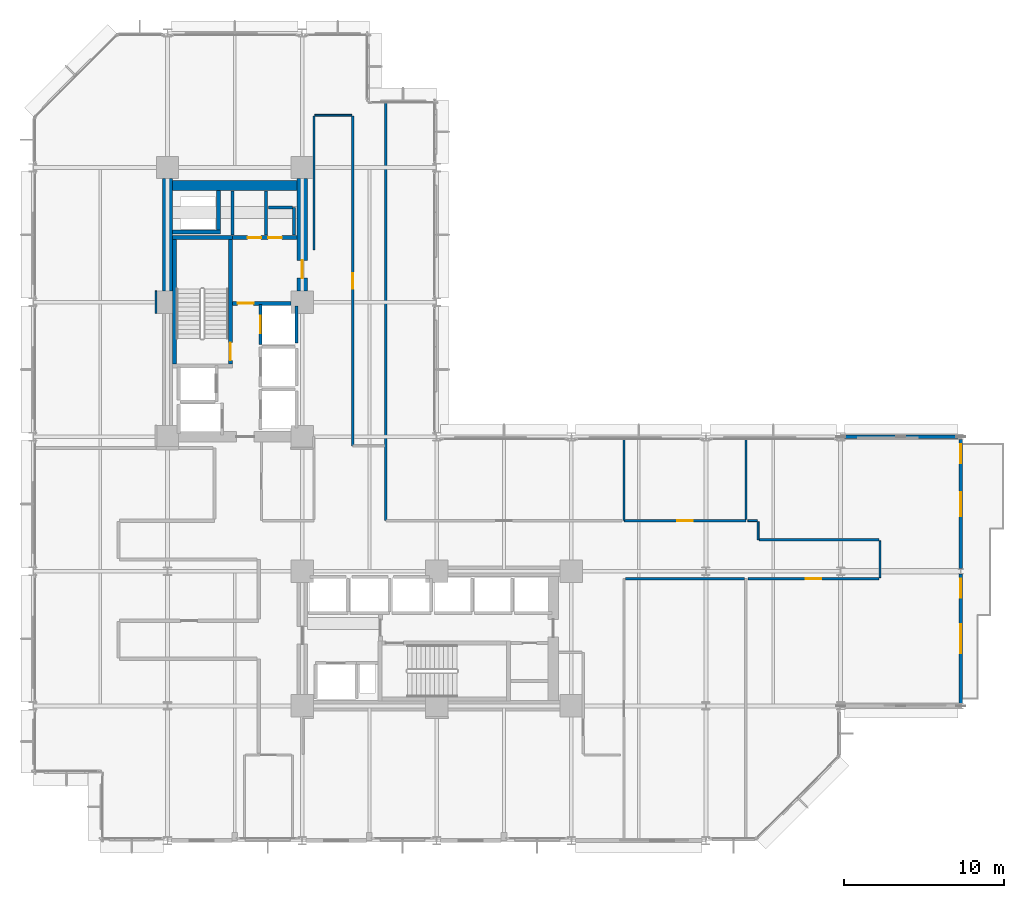
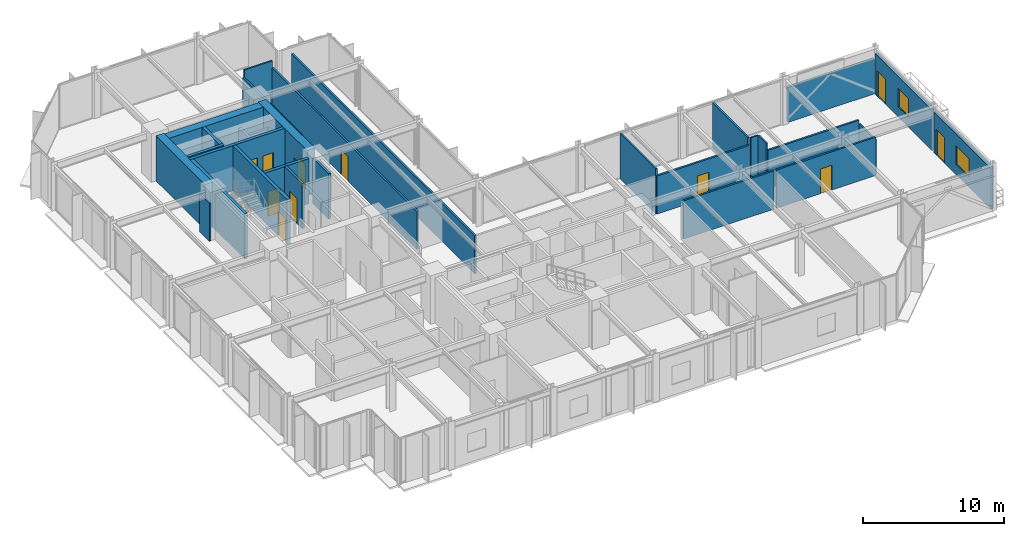
# One storey, part 25 of 30: 33 walls, 11 doors, 2 windows, 13 openings.
"""IFC4 building model written with IfcOpenShell, lengths in metres."""

from ifc_helpers import new_model, si_unit, direction, frame, frame_2d, origin, place, context, subcontext, project, spatial, rectangle, extrude, material, layer, layer_set, type_object, element, fill, save


model = new_model("IFC4")

# Units and contexts
model_context = context("Model", 3, precision=1e-05, world=origin(), true_north=direction((0.0, 1.0)))
body_context = subcontext(model_context, "Body", "Model", "MODEL_VIEW")
ifc_project = project(units=[si_unit("LENGTHUNIT", "METRE"), si_unit("AREAUNIT", "SQUARE_METRE"), si_unit("VOLUMEUNIT", "CUBIC_METRE"), si_unit("PLANEANGLEUNIT", "RADIAN"), si_unit("MASSUNIT", "GRAM", prefix="KILO")], contexts=[model_context])

# Site, building, storey
site_placement = place(None, origin())
site = spatial("IfcSite", under=ifc_project, at=site_placement, CompositionType="ELEMENT")
building_placement = place(site_placement, origin())
building = spatial("IfcBuilding", under=site, at=building_placement, Name="Nerrivon Quay Data Exchange", CompositionType="ELEMENT")
storey_placement = place(building_placement, frame((0.0, 0.0, 62.60009765625)))
storey = spatial("IfcBuildingStorey", under=building, at=storey_placement, Name="L14", CompositionType="ELEMENT", Elevation=62.60009765625)

# Wall, openings, door, window
ifc_material_1 = material(Name="Architectural terracotta precast concrete N50 (50 MPa)", Category="masonry")
ifc_layer_1 = layer(ifc_material_1, 0.239990234375)
ifc_layer_set_1 = layer_set([ifc_layer_1], Name="Architectural terracotta precast concrete N50 (50 MPa)")
wall_type_1 = type_object("IfcWallType", Name="EW-PREC-240", PredefinedType="STANDARD", material=ifc_layer_set_1)
wall_1_placement = place(storey_placement, frame((57.89990234375, 25.03662109375, 0.0), z_axis=(0.0, 0.0, 1.0), x_axis=(0.0, -1.0, 0.0)))
wall_1 = element("IfcWall", 1, at=wall_1_placement, inside=storey, type_object=wall_type_1, Name="L14 Terrace Host Wall 1", PredefinedType="STANDARD", context=body_context, shape_type="SweptSolid", body=[
    extrude(rectangle(XDim=8.0732421875, YDim=0.239990234375, at=frame_2d((4.03662109375, 0.0))), origin(), (0.0, 0.0, 1.0), 3.52197265625),
])
opening_1_placement = place(wall_1_placement, frame((0.300048828125, 0.0, 0.0)))
opening_1 = element("IfcOpeningElement", 2, at=opening_1_placement, cuts=wall_1, Name="Opening TD1", PredefinedType="OPENING", context=body_context, shape_type="SweptSolid", body=[
    extrude(rectangle(XDim=1.199951171875, YDim=2.199951171875, at=frame_2d((0.60009765625, 1.10009765625))), frame((0.0, 0.1298828125, 0.0), z_axis=(0.0, -1.0, 0.0), x_axis=(1.0, 0.0, 0.0)), (0.0, 0.0, 1.0), 0.260009765625),
])
opening_2_placement = place(wall_1_placement, frame((3.28662109375, 0.0, 0.89990234375)))
opening_2 = element("IfcOpeningElement", 3, at=opening_2_placement, cuts=wall_1, Name="Opening WN4", PredefinedType="OPENING", context=body_context, shape_type="SweptSolid", body=[
    extrude(rectangle(XDim=1.5, YDim=1.60009765625, at=frame_2d((0.75, 0.800048828125))), frame((0.0, 0.1298828125, 0.0), z_axis=(0.0, -1.0, 0.0), x_axis=(1.0, 0.0, 0.0)), (0.0, 0.0, 1.0), 0.260009765625),
])
ifc_material_2 = material(Name="Double-glazed low-E solar control glass", Category="glass")
door_type_1 = type_object("IfcDoorType", Name="DR-TERR-1200x2200", OperationType="NOTDEFINED", PredefinedType="DOOR", material=ifc_material_2)
door_1_placement = place(opening_1_placement, origin())
door_1 = element("IfcDoor", 4, at=door_1_placement, inside=storey, type_object=door_type_1, Name="L14 Outdoor Terrace Access Door 1", OperationType="SINGLE_SWING_RIGHT", OverallHeight=2.199951171875, OverallWidth=1.199951171875, PredefinedType="DOOR", context=body_context, shape_type="SweptSolid", body=[
    extrude(rectangle(XDim=1.199951171875, YDim=2.199951171875, at=frame_2d((0.60009765625, 1.10009765625))), frame((0.0, 0.02490234375, 0.0), z_axis=(0.0, -1.0, 0.0), x_axis=(1.0, 0.0, 0.0)), (0.0, 0.0, 1.0), 0.050048828125),
])
fill(opening_1, door_1)
window_type_1 = type_object("IfcWindowType", Name="WIN-W4-1500x1600", PartitioningType="SINGLE_PANEL", PredefinedType="WINDOW", material=ifc_material_2)
window_1_placement = place(opening_2_placement, origin())
window_1 = element("IfcWindow", 5, at=window_1_placement, inside=storey, type_object=window_type_1, Name="L14 Terrace Side Window 1", OverallHeight=1.60009765625, OverallWidth=1.5, PartitioningType="SINGLE_PANEL", PredefinedType="WINDOW", context=body_context, shape_type="SweptSolid", body=[
    extrude(rectangle(XDim=1.5, YDim=1.60009765625, at=frame_2d((0.75, 0.800048828125))), frame((0.0, 0.030029296875, 0.0), z_axis=(0.0, -1.0, 0.0), x_axis=(1.0, 0.0, 0.0)), (0.0, 0.0, 1.0), 0.06005859375),
])
fill(opening_2, window_1)

wall_2_placement = place(storey_placement, frame((57.89990234375, 16.636474609375, 0.0), z_axis=(0.0, 0.0, 1.0), x_axis=(0.0, -1.0, 0.0)))
wall_2 = element("IfcWall", 6, at=wall_2_placement, inside=storey, type_object=wall_type_1, Name="L14 Terrace Host Wall 2", PredefinedType="STANDARD", context=body_context, shape_type="SweptSolid", body=[
    extrude(rectangle(XDim=8.072998046875, YDim=0.239990234375, at=frame_2d((4.03662109375, 0.0))), origin(), (0.0, 0.0, 1.0), 3.52197265625),
])
opening_3_placement = place(wall_2_placement, frame((0.300048828125, 0.0, 0.0)))
opening_3 = element("IfcOpeningElement", 7, at=opening_3_placement, cuts=wall_2, Name="Opening TD1", PredefinedType="OPENING", context=body_context, shape_type="SweptSolid", body=[
    extrude(rectangle(XDim=1.199951171875, YDim=2.199951171875, at=frame_2d((0.60009765625, 1.10009765625))), frame((0.0, 0.1298828125, 0.0), z_axis=(0.0, -1.0, 0.0), x_axis=(1.0, 0.0, 0.0)), (0.0, 0.0, 1.0), 0.260009765625),
])
opening_4_placement = place(wall_2_placement, frame((3.136474609375, 0.0, 0.89990234375)))
opening_4 = element("IfcOpeningElement", 8, at=opening_4_placement, cuts=wall_2, Name="Opening WN2", PredefinedType="OPENING", context=body_context, shape_type="SweptSolid", body=[
    extrude(rectangle(XDim=1.800048828125, YDim=1.60009765625, at=frame_2d((0.89990234375, 0.800048828125))), frame((0.0, 0.1298828125, 0.0), z_axis=(0.0, -1.0, 0.0), x_axis=(1.0, 0.0, 0.0)), (0.0, 0.0, 1.0), 0.260009765625),
])
door_2_placement = place(opening_3_placement, origin())
door_2 = element("IfcDoor", 9, at=door_2_placement, inside=storey, type_object=door_type_1, Name="L14 Outdoor Terrace Access Door 2", OperationType="SINGLE_SWING_LEFT", OverallHeight=2.199951171875, OverallWidth=1.199951171875, PredefinedType="DOOR", context=body_context, shape_type="SweptSolid", body=[
    extrude(rectangle(XDim=1.199951171875, YDim=2.199951171875, at=frame_2d((0.60009765625, 1.10009765625))), frame((0.0, 0.02490234375, 0.0), z_axis=(0.0, -1.0, 0.0), x_axis=(1.0, 0.0, 0.0)), (0.0, 0.0, 1.0), 0.050048828125),
])
fill(opening_3, door_2)
window_type_2 = type_object("IfcWindowType", Name="WIN-W2-1800x1600", PartitioningType="SINGLE_PANEL", PredefinedType="WINDOW", material=ifc_material_2)
window_2_placement = place(opening_4_placement, origin())
window_2 = element("IfcWindow", 10, at=window_2_placement, inside=storey, type_object=window_type_2, Name="L14 Terrace Side Window 2", OverallHeight=1.60009765625, OverallWidth=1.800048828125, PartitioningType="SINGLE_PANEL", PredefinedType="WINDOW", context=body_context, shape_type="SweptSolid", body=[
    extrude(rectangle(XDim=1.800048828125, YDim=1.60009765625, at=frame_2d((0.89990234375, 0.800048828125))), frame((0.0, 0.030029296875, 0.0), z_axis=(0.0, -1.0, 0.0), x_axis=(1.0, 0.0, 0.0)), (0.0, 0.0, 1.0), 0.06005859375),
])
fill(opening_4, window_2)

# Walls
wall_3_placement = place(storey_placement, frame((50.64990234375, 25.199951171875, 0.0), z_axis=(0.0, 0.0, 1.0), x_axis=(1.0, 0.0, 0.0)))
element("IfcWall", 11, at=wall_3_placement, inside=storey, type_object=wall_type_1, Name="L14 Plant Enclosure Wall 35", PredefinedType="STANDARD", context=body_context, shape_type="SweptSolid", body=[
    extrude(rectangle(XDim=7.094482421875, YDim=0.239990234375, at=frame_2d((3.54736328125, 0.0))), origin(), (0.0, 0.0, 1.0), 3.014892578125),
])
ifc_material_3 = material(Name="Concrete N80 (80 MPa)", Category="concrete")
ifc_layer_2 = layer(ifc_material_3, 0.64990234375)
ifc_layer_set_2 = layer_set([ifc_layer_2], Name="Concrete N80 (80 MPa)")
wall_type_2 = type_object("IfcWallType", Name="WALL-CW-850", PredefinedType="SHEAR", material=ifc_layer_set_2)
wall_4_placement = place(storey_placement, frame((8.39990234375, 34.300048828125, 0.0), z_axis=(0.0, 0.0, 1.0), x_axis=(0.0, 1.0, 0.0)))
element("IfcWall", 12, at=wall_4_placement, inside=storey, type_object=wall_type_2, Name="L14 West Split-Core Shear Wall WCW-W2", PredefinedType="SHEAR", context=body_context, shape_type="SweptSolid", body=[
    extrude(rectangle(XDim=7.0, YDim=0.64990234375, at=frame_2d((3.5, 0.0))), origin(), (0.0, 0.0, 1.0), 3.9248046875),
])
wall_5_placement = place(storey_placement, frame((8.72509765625, 40.875, 0.0), z_axis=(0.0, 0.0, 1.0), x_axis=(1.0, 0.0, 0.0)))
element("IfcWall", 13, at=wall_5_placement, inside=storey, type_object=wall_type_2, Name="L14 West Split-Core Shear Wall WCW-N1", PredefinedType="SHEAR", context=body_context, shape_type="SweptSolid", body=[
    extrude(rectangle(XDim=7.75, YDim=0.64990234375, at=frame_2d((3.875, 0.0))), origin(), (0.0, 0.0, 1.0), 3.9248046875),
])

# Wall, opening, door
wall_6_placement = place(storey_placement, frame((16.800048828125, 34.300048828125, 0.0), z_axis=(0.0, 0.0, 1.0), x_axis=(0.0, 1.0, 0.0)))
wall_6 = element("IfcWall", 14, at=wall_6_placement, inside=storey, type_object=wall_type_2, Name="L14 West Split-Core Shear Wall WCW-E1", PredefinedType="SHEAR", context=body_context, shape_type="SweptSolid", body=[
    extrude(rectangle(XDim=7.0, YDim=0.64990234375, at=frame_2d((3.5, 0.0))), origin(), (0.0, 0.0, 1.0), 3.9248046875),
])
opening_5_placement = place(wall_6_placement, frame((0.800048828125, 0.0, 0.0)))
opening_5 = element("IfcOpeningElement", 15, at=opening_5_placement, cuts=wall_6, Name="Opening FD-120", PredefinedType="OPENING", context=body_context, shape_type="SweptSolid", body=[
    extrude(rectangle(XDim=1.10009765625, YDim=2.14990234375, at=frame_2d((0.550048828125, 1.074951171875))), frame((0.0, 0.3349609375, 0.0), z_axis=(0.0, -1.0, 0.0), x_axis=(1.0, 0.0, 0.0)), (0.0, 0.0, 1.0), 0.669921875),
])
ifc_material_4 = material(Name="Powder-coated galvanized steel sheet", Category="steel")
door_type_2 = type_object("IfcDoorType", Name="DR-FD120-1100", OperationType="NOTDEFINED", PredefinedType="DOOR", material=ifc_material_4)
door_3_placement = place(opening_5_placement, origin())
door_3 = element("IfcDoor", 16, at=door_3_placement, inside=storey, type_object=door_type_2, Name="L14 West Core Lobby Fire Door", OperationType="SINGLE_SWING_RIGHT", OverallHeight=2.14990234375, OverallWidth=1.10009765625, PredefinedType="DOOR", context=body_context, shape_type="SweptSolid", body=[
    extrude(rectangle(XDim=1.10009765625, YDim=2.14990234375, at=frame_2d((0.550048828125, 1.074951171875))), frame((0.0, 0.02490234375, 0.0), z_axis=(0.0, -1.0, 0.0), x_axis=(1.0, 0.0, 0.0)), (0.0, 0.0, 1.0), 0.050048828125),
])
fill(opening_5, door_3)

ifc_material_5 = material(Name="Gypsum plasterboard on cold-formed framing", Category="gypsum")
ifc_layer_3 = layer(ifc_material_5, 0.199951171875)
ifc_layer_set_3 = layer_set([ifc_layer_3], Name="Gypsum plasterboard on cold-formed framing")
wall_type_3 = type_object("IfcWallType", Name="WALL-FW-200", PredefinedType="PARTITIONING", material=ifc_layer_set_3)
wall_7_placement = place(storey_placement, frame((14.199951171875, 30.949951171875, 0.0), z_axis=(0.0, 0.0, 1.0), x_axis=(0.0, 1.0, 0.0)))
wall_7 = element("IfcWall", 17, at=wall_7_placement, inside=storey, type_object=wall_type_3, Name="L14 Lift Front Wall PL3", PredefinedType="PARTITIONING", context=body_context, shape_type="SweptSolid", body=[
    extrude(rectangle(XDim=2.5, YDim=0.199951171875, at=frame_2d((1.25, 0.0))), origin(), (0.0, 0.0, 1.0), 3.9248046875),
])
opening_6_placement = place(wall_7_placement, frame((0.699951171875, 0.0, 0.0)))
opening_6 = element("IfcOpeningElement", 18, at=opening_6_placement, cuts=wall_7, Name="Opening LD-120", PredefinedType="OPENING", context=body_context, shape_type="SweptSolid", body=[
    extrude(rectangle(XDim=1.10009765625, YDim=2.199951171875, at=frame_2d((0.550048828125, 1.10009765625))), frame((0.0, 0.10986328125, 0.0), z_axis=(0.0, -1.0, 0.0), x_axis=(1.0, 0.0, 0.0)), (0.0, 0.0, 1.0), 0.219970703125),
])
door_type_3 = type_object("IfcDoorType", Name="DR-LIFT-LD120", OperationType="DOUBLE_DOOR_SLIDING", PredefinedType="DOOR", material=ifc_material_4)
door_4_placement = place(opening_6_placement, origin())
door_4 = element("IfcDoor", 19, at=door_4_placement, inside=storey, type_object=door_type_3, Name="L14 Lift Landing Sliding Door PL3", OperationType="DOUBLE_DOOR_SLIDING", OverallHeight=2.199951171875, OverallWidth=1.10009765625, PredefinedType="DOOR", context=body_context, shape_type="SweptSolid", body=[
    extrude(rectangle(XDim=1.10009765625, YDim=2.199951171875, at=frame_2d((0.550048828125, 1.10009765625))), frame((0.0, 0.02490234375, 0.0), z_axis=(0.0, -1.0, 0.0), x_axis=(1.0, 0.0, 0.0)), (0.0, 0.0, 1.0), 0.050048828125),
])
fill(opening_6, door_4)

# Walls
wall_8_placement = place(storey_placement, frame((16.449951171875, 31.050048828125, 0.0), z_axis=(0.0, 0.0, 1.0), x_axis=(0.0, 1.0, 0.0)))
element("IfcWall", 20, at=wall_8_placement, inside=storey, type_object=wall_type_3, Name="L14 Lift Shaft Wall PL3 EAST", PredefinedType="PARTITIONING", context=body_context, shape_type="SweptSolid", body=[
    extrude(rectangle(XDim=2.300048828125, YDim=0.199951171875, at=frame_2d((1.14990234375, 0.0))), origin(), (0.0, 0.0, 1.0), 3.9248046875),
])
for number, where, z_axis, x_axis, name in (
    (21, (14.550048828125, 37.780029296875, 0.0), (0.0, 0.0, 1.0), (0.0, 1.0, 0.0), "L14 Partition Electrical Switchboard Closet"),
    (22, (12.449951171875, 40.5458984375, 0.0), (0.0, 0.0, 1.0), (0.0, -1.0, 0.0), "L14 Partition Electrical Switchboard Closet"),
):
    element("IfcWall", number, at=place(storey_placement, frame(where, z_axis=z_axis, x_axis=x_axis)), inside=storey, type_object=wall_type_3, Name=name, PredefinedType="PARTITIONING", context=body_context, shape_type="SweptSolid", body=[
        extrude(rectangle(XDim=2.765869140625, YDim=0.199951171875, at=frame_2d((1.3828125, 0.0))), origin(), (0.0, 0.0, 1.0), 2.824951171875),
    ])
wall_9_placement = place(storey_placement, frame((16.300048828125, 37.780029296875, 0.0), z_axis=(0.0, 0.0, 1.0), x_axis=(0.0, 1.0, 0.0)))
element("IfcWall", 23, at=wall_9_placement, inside=storey, type_object=wall_type_3, Name="L14 Partition Janitor Closet", PredefinedType="PARTITIONING", context=body_context, shape_type="SweptSolid", body=[
    extrude(rectangle(XDim=1.719970703125, YDim=0.199951171875, at=frame_2d((0.85986328125, 0.0))), origin(), (0.0, 0.0, 1.0), 2.824951171875),
])
wall_10_placement = place(storey_placement, frame((16.196044921875, 39.5, 0.0), z_axis=(0.0, 0.0, 1.0), x_axis=(-1.0, 0.0, 0.0)))
element("IfcWall", 24, at=wall_10_placement, inside=storey, type_object=wall_type_3, Name="L14 Partition Janitor Closet", PredefinedType="PARTITIONING", context=body_context, shape_type="SweptSolid", body=[
    extrude(rectangle(XDim=1.506103515625, YDim=0.199951171875, at=frame_2d((0.7529296875, 0.0))), origin(), (0.0, 0.0, 1.0), 2.824951171875),
])
ifc_layer_4 = layer(ifc_material_5, 0.1201171875)
ifc_layer_set_4 = layer_set([ifc_layer_4], Name="Gypsum plasterboard on cold-formed framing")
wall_type_4 = type_object("IfcWallType", Name="WALL-PT-120", PredefinedType="PARTITIONING", material=ifc_layer_set_4)
wall_11_placement = place(storey_placement, frame((44.61376953125, 19.959716796875, 0.0), z_axis=(0.0, 0.0, 1.0), x_axis=(1.0, 0.0, 0.0)))
element("IfcWall", 25, at=wall_11_placement, inside=storey, type_object=wall_type_4, Name="L14 Partition Cloud Compute Workspace 1", PredefinedType="PARTITIONING", context=body_context, shape_type="SweptSolid", body=[
    extrude(rectangle(XDim=0.592041015625, YDim=0.1201171875, at=frame_2d((0.2958984375, 0.0))), origin(), (0.0, 0.0, 1.0), 3.9248046875),
])
wall_12_placement = place(storey_placement, frame((45.260009765625, 19.89990234375, 0.0), z_axis=(0.0, 0.0, 1.0), x_axis=(0.0, -1.0, 0.0)))
element("IfcWall", 26, at=wall_12_placement, inside=storey, type_object=wall_type_4, Name="L14 Partition Cloud Compute Workspace 1", PredefinedType="PARTITIONING", context=body_context, shape_type="SweptSolid", body=[
    extrude(rectangle(XDim=1.139892578125, YDim=0.1201171875, at=frame_2d((0.56982421875, 0.0))), origin(), (0.0, 0.0, 1.0), 3.9248046875),
])
wall_13_placement = place(storey_placement, frame((52.860107421875, 18.699951171875, 0.0), z_axis=(0.0, 0.0, 1.0), x_axis=(0.0, -1.0, 0.0)))
element("IfcWall", 27, at=wall_13_placement, inside=storey, type_object=wall_type_4, Name="L14 Partition Cloud Compute Workspace 1", PredefinedType="PARTITIONING", context=body_context, shape_type="SweptSolid", body=[
    extrude(rectangle(XDim=2.300048828125, YDim=0.1201171875, at=frame_2d((1.14990234375, 0.0))), origin(), (0.0, 0.0, 1.0), 3.014892578125),
])
wall_14_placement = place(storey_placement, frame((7.680908203125, 32.894287109375, 0.0), z_axis=(0.0, 0.0, 1.0), x_axis=(-0.000694685487, 0.999999758706, 0.0)))
element("IfcWall", 28, at=wall_14_placement, inside=storey, type_object=wall_type_4, Name="L14 Partition Optical Engineering Studios Workspace", PredefinedType="PARTITIONING", context=body_context, shape_type="SweptSolid", body=[
    extrude(rectangle(XDim=1.40576171875, YDim=0.1201171875, at=frame_2d((0.702880859375, 0.0))), origin(), (0.0, 0.0, 1.0), 3.31298828125),
])
wall_15_placement = place(storey_placement, frame((17.593994140625, 45.259765625, 0.0), z_axis=(0.0, 0.0, 1.0), x_axis=(0.999999994395, 0.000105876124, 0.0)))
element("IfcWall", 29, at=wall_15_placement, inside=storey, type_object=wall_type_4, Name="L14 Partition Optical Engineering Studios Workspace", PredefinedType="PARTITIONING", context=body_context, shape_type="SweptSolid", body=[
    extrude(rectangle(XDim=2.305908203125, YDim=0.1201171875, at=frame_2d((1.15283203125, 0.0))), origin(), (0.0, 0.0, 1.0), 3.9248046875),
])
ifc_layer_5 = layer(ifc_material_5, 0.135009765625)
ifc_layer_set_5 = layer_set([ifc_layer_5], Name="Gypsum plasterboard on cold-formed framing")
wall_type_5 = type_object("IfcWallType", Name="WALL-PT-135", PredefinedType="PARTITIONING", material=ifc_layer_set_5)
wall_16_placement = place(storey_placement, frame((36.88623046875, 25.031005859375, 0.0), z_axis=(0.0, 0.0, 1.0), x_axis=(0.0, -1.0, 0.0)))
element("IfcWall", 30, at=wall_16_placement, inside=storey, type_object=wall_type_5, Name="L14 Partition Staff Pantry", PredefinedType="PARTITIONING", context=body_context, shape_type="SweptSolid", body=[
    extrude(rectangle(XDim=5.0712890625, YDim=0.135009765625, at=frame_2d((2.53564453125, 0.0))), origin(), (0.0, 0.0, 1.0), 3.9248046875),
])
wall_17_placement = place(storey_placement, frame((44.49365234375, 20.038818359375, 0.0), z_axis=(0.0, 0.0, 1.0), x_axis=(0.0, 1.0, 0.0)))
element("IfcWall", 31, at=wall_17_placement, inside=storey, type_object=wall_type_5, Name="L14 Partition Staff Pantry", PredefinedType="PARTITIONING", context=body_context, shape_type="SweptSolid", body=[
    extrude(rectangle(XDim=4.9921875, YDim=0.135009765625, at=frame_2d((2.49609375, 0.0))), origin(), (0.0, 0.0, 1.0), 3.9248046875),
])

# Wall, opening, door
ifc_layer_6 = layer(ifc_material_5, 0.14990234375)
ifc_layer_set_6 = layer_set([ifc_layer_6], Name="Gypsum plasterboard on cold-formed framing")
wall_type_6 = type_object("IfcWallType", Name="WALL-PT-150", PredefinedType="PARTITIONING", material=ifc_layer_set_6)
wall_18_placement = place(storey_placement, frame((36.88623046875, 19.959716796875, 0.0), z_axis=(0.0, 0.0, 1.0), x_axis=(1.0, 0.0, 0.0)))
wall_18 = element("IfcWall", 32, at=wall_18_placement, inside=storey, type_object=wall_type_6, Name="L14 Partition Staff Pantry", PredefinedType="PARTITIONING", context=body_context, shape_type="SweptSolid", body=[
    extrude(rectangle(XDim=7.607421875, YDim=0.14990234375, at=frame_2d((3.8037109375, 0.0))), origin(), (0.0, 0.0, 1.0), 3.322998046875),
])
opening_7_placement = place(wall_18_placement, frame((3.32861328125, 0.0, 0.0)))
opening_7 = element("IfcOpeningElement", 33, at=opening_7_placement, cuts=wall_18, Name="Opening D-01", PredefinedType="OPENING", context=body_context, shape_type="SweptSolid", body=[
    extrude(rectangle(XDim=0.949951171875, YDim=2.14990234375, at=frame_2d((0.47509765625, 1.074951171875))), frame((0.0, 0.0849609375, 0.0), z_axis=(0.0, -1.0, 0.0), x_axis=(1.0, 0.0, 0.0)), (0.0, 0.0, 1.0), 0.169921875),
])
ifc_material_6 = material(Name="Engineered hardwood timber", Category="wood")
door_type_4 = type_object("IfcDoorType", Name="DR-INT-950", OperationType="NOTDEFINED", PredefinedType="DOOR", material=ifc_material_6)
door_5_placement = place(opening_7_placement, origin())
door_5 = element("IfcDoor", 34, at=door_5_placement, inside=storey, type_object=door_type_4, Name="L14 Door Staff Pantry", OperationType="SINGLE_SWING_LEFT", OverallHeight=2.14990234375, OverallWidth=0.949951171875, PredefinedType="DOOR", context=body_context, shape_type="SweptSolid", body=[
    extrude(rectangle(XDim=0.949951171875, YDim=2.14990234375, at=frame_2d((0.47509765625, 1.074951171875))), frame((0.0, 0.02490234375, 0.0), z_axis=(0.0, -1.0, 0.0), x_axis=(1.0, 0.0, 0.0)), (0.0, 0.0, 1.0), 0.050048828125),
])
fill(opening_7, door_5)

# Walls
wall_19_placement = place(storey_placement, frame((44.414794921875, 16.340087890625, 0.0), z_axis=(0.0, 0.0, 1.0), x_axis=(-1.0, 0.0, 0.0)))
element("IfcWall", 35, at=wall_19_placement, inside=storey, type_object=wall_type_6, Name="L14 Partition Engineers Lounge", PredefinedType="PARTITIONING", context=body_context, shape_type="SweptSolid", body=[
    extrude(rectangle(XDim=7.449462890625, YDim=0.14990234375, at=frame_2d((3.724609375, 0.0))), origin(), (0.0, 0.0, 1.0), 3.322998046875),
])
wall_20_placement = place(storey_placement, frame((22.02587890625, 46.031005859375, 0.0), z_axis=(0.0, 0.0, 1.0), x_axis=(0.0, -1.0, 0.0)))
element("IfcWall", 36, at=wall_20_placement, inside=storey, type_object=wall_type_6, Name="L14 Partition Peering Day Lounge", PredefinedType="PARTITIONING", context=body_context, shape_type="SweptSolid", body=[
    extrude(rectangle(XDim=26.071044921875, YDim=0.14990234375, at=frame_2d((13.03564453125, 0.0))), origin(), (0.0, 0.0, 1.0), 3.31298828125),
])
wall_21_placement = place(storey_placement, frame((45.323974609375, 18.760009765625, 0.0), z_axis=(0.0, 0.0, 1.0), x_axis=(1.0, 0.0, 0.0)))
element("IfcWall", 37, at=wall_21_placement, inside=storey, type_object=wall_type_6, Name="L14 Partition Cloud Compute Workspace 1", PredefinedType="PARTITIONING", context=body_context, shape_type="SweptSolid", body=[
    extrude(rectangle(XDim=7.47607421875, YDim=0.14990234375, at=frame_2d((3.738037109375, 0.0))), origin(), (0.0, 0.0, 1.0), 3.322998046875),
])

# Wall, opening, door
wall_22_placement = place(storey_placement, frame((52.800048828125, 16.340087890625, 0.0), z_axis=(0.0, 0.0, 1.0), x_axis=(-1.0, 0.0, 0.0)))
wall_22 = element("IfcWall", 38, at=wall_22_placement, inside=storey, type_object=wall_type_6, Name="L14 Partition Cloud Compute Workspace 1", PredefinedType="PARTITIONING", context=body_context, shape_type="SweptSolid", body=[
    extrude(rectangle(XDim=8.186279296875, YDim=0.14990234375, at=frame_2d((4.09326171875, 0.0))), origin(), (0.0, 0.0, 1.0), 3.322998046875),
])
opening_8_placement = place(wall_22_placement, frame((3.6181640625, 0.0, 0.0)))
opening_8 = element("IfcOpeningElement", 39, at=opening_8_placement, cuts=wall_22, Name="Opening D-01", PredefinedType="OPENING", context=body_context, shape_type="SweptSolid", body=[
    extrude(rectangle(XDim=0.949951171875, YDim=2.14990234375, at=frame_2d((0.47509765625, 1.074951171875))), frame((0.0, 0.0849609375, 0.0), z_axis=(0.0, -1.0, 0.0), x_axis=(1.0, 0.0, 0.0)), (0.0, 0.0, 1.0), 0.169921875),
])
door_6_placement = place(opening_8_placement, origin())
door_6 = element("IfcDoor", 40, at=door_6_placement, inside=storey, type_object=door_type_4, Name="L14 Door Cloud Compute Workspace 1", OperationType="SINGLE_SWING_LEFT", OverallHeight=2.14990234375, OverallWidth=0.949951171875, PredefinedType="DOOR", context=body_context, shape_type="SweptSolid", body=[
    extrude(rectangle(XDim=0.949951171875, YDim=2.14990234375, at=frame_2d((0.47509765625, 1.074951171875))), frame((0.0, 0.02490234375, 0.0), z_axis=(0.0, -1.0, 0.0), x_axis=(1.0, 0.0, 0.0)), (0.0, 0.0, 1.0), 0.050048828125),
])
fill(opening_8, door_6)

wall_23_placement = place(storey_placement, frame((19.959716796875, 45.205810546875, 0.0), z_axis=(0.0, 0.0, 1.0), x_axis=(1.1861833e-05, -0.99999999993, 0.0)))
wall_23 = element("IfcWall", 41, at=wall_23_placement, inside=storey, type_object=wall_type_6, Name="L14 Partition Optical Engineering Studios Workspace", PredefinedType="PARTITIONING", context=body_context, shape_type="SweptSolid", body=[
    extrude(rectangle(XDim=20.58203125, YDim=0.14990234375, at=frame_2d((10.291015625, 0.0))), origin(), (0.0, 0.0, 1.0), 3.31298828125),
])
opening_9_placement = place(wall_23_placement, frame((9.81591796875, 0.0, 0.0)))
opening_9 = element("IfcOpeningElement", 42, at=opening_9_placement, cuts=wall_23, Name="Opening D-01", PredefinedType="OPENING", context=body_context, shape_type="SweptSolid", body=[
    extrude(rectangle(XDim=0.949951171875, YDim=2.14990234375, at=frame_2d((0.47509765625, 1.074951171875))), frame((0.0, 0.0849609375, 0.0), z_axis=(0.0, -1.0, 0.0), x_axis=(1.0, 0.0, 0.0)), (0.0, 0.0, 1.0), 0.169921875),
])
door_7_placement = place(opening_9_placement, origin())
door_7 = element("IfcDoor", 43, at=door_7_placement, inside=storey, type_object=door_type_4, Name="L14 Door Optical Engineering Studios Workspace", OperationType="SINGLE_SWING_LEFT", OverallHeight=2.14990234375, OverallWidth=0.949951171875, PredefinedType="DOOR", context=body_context, shape_type="SweptSolid", body=[
    extrude(rectangle(XDim=0.949951171875, YDim=2.14990234375, at=frame_2d((0.47509765625, 1.074951171875))), frame((0.0, 0.02490234375, 0.0), z_axis=(0.0, -1.0, 0.0), x_axis=(1.0, 0.0, 0.0)), (0.0, 0.0, 1.0), 0.050048828125),
])
fill(opening_9, door_7)

# Walls
wall_24_placement = place(storey_placement, frame((17.5400390625, 36.860107421875, 0.0), z_axis=(0.0, 0.0, 1.0), x_axis=(0.0, 1.0, 0.0)))
element("IfcWall", 44, at=wall_24_placement, inside=storey, type_object=wall_type_6, Name="L14 Partition Optical Engineering Studios Workspace", PredefinedType="PARTITIONING", context=body_context, shape_type="SweptSolid", body=[
    extrude(rectangle(XDim=8.33984375, YDim=0.14990234375, at=frame_2d((4.169921875, 0.0))), origin(), (0.0, 0.0, 1.0), 3.31298828125),
])
ifc_material_7 = material(Name="Concrete N50 (50 MPa)", Category="concrete")
ifc_layer_7 = layer(ifc_material_7, 0.25)
ifc_layer_set_7 = layer_set([ifc_layer_7], Name="Concrete N50 (50 MPa)")
wall_type_7 = type_object("IfcWallType", Name="WALL-SW-250", PredefinedType="SHEAR", material=ifc_layer_set_7)
wall_25_placement = place(storey_placement, frame((12.449951171875, 37.625, 0.0), z_axis=(0.0, 0.0, 1.0), x_axis=(-1.0, 0.0, 0.0)))
element("IfcWall", 45, at=wall_25_placement, inside=storey, type_object=wall_type_7, Name="L14 ST01 Structural Stair Core Wall FAR", PredefinedType="SHEAR", context=body_context, shape_type="SweptSolid", body=[
    extrude(rectangle(XDim=3.75, YDim=0.25, at=frame_2d((1.875, 0.0))), origin(), (0.0, 0.0, 1.0), 3.9248046875),
])

# Wall, opening, door
wall_26_placement = place(storey_placement, frame((12.324951171875, 29.75, 0.0), z_axis=(0.0, 0.0, 1.0), x_axis=(0.0, 1.0, 0.0)))
wall_26 = element("IfcWall", 46, at=wall_26_placement, inside=storey, type_object=wall_type_7, Name="L14 ST01 Structural Stair Core Wall LEFT", PredefinedType="SHEAR", context=body_context, shape_type="SweptSolid", body=[
    extrude(rectangle(XDim=7.75, YDim=0.25, at=frame_2d((3.875, 0.0))), origin(), (0.0, 0.0, 1.0), 3.9248046875),
])
opening_10_placement = place(wall_26_placement, frame((0.219970703125, 0.0, 0.0)))
opening_10 = element("IfcOpeningElement", 47, at=opening_10_placement, cuts=wall_26, Name="Opening FD-120", PredefinedType="OPENING", context=body_context, shape_type="SweptSolid", body=[
    extrude(rectangle(XDim=1.10009765625, YDim=2.14990234375, at=frame_2d((0.550048828125, 1.074951171875))), frame((0.0, 0.135009765625, 0.0), z_axis=(0.0, -1.0, 0.0), x_axis=(1.0, 0.0, 0.0)), (0.0, 0.0, 1.0), 0.27001953125),
])
door_8_placement = place(opening_10_placement, origin())
door_8 = element("IfcDoor", 48, at=door_8_placement, inside=storey, type_object=door_type_2, Name="L14 Protected Stair Door ST01", OperationType="SINGLE_SWING_RIGHT", OverallHeight=2.14990234375, OverallWidth=1.10009765625, PredefinedType="DOOR", context=body_context, shape_type="SweptSolid", body=[
    extrude(rectangle(XDim=1.10009765625, YDim=2.14990234375, at=frame_2d((0.550048828125, 1.074951171875))), frame((0.0, 0.02490234375, 0.0), z_axis=(0.0, -1.0, 0.0), x_axis=(1.0, 0.0, 0.0)), (0.0, 0.0, 1.0), 0.050048828125),
])
fill(opening_10, door_8)

# Walls
wall_27_placement = place(storey_placement, frame((8.824951171875, 29.75, 0.0), z_axis=(0.0, 0.0, 1.0), x_axis=(0.0, 1.0, 0.0)))
element("IfcWall", 49, at=wall_27_placement, inside=storey, type_object=wall_type_7, Name="L14 ST01 Structural Stair Core Wall RIGHT", PredefinedType="SHEAR", context=body_context, shape_type="SweptSolid", body=[
    extrude(rectangle(XDim=7.75, YDim=0.25, at=frame_2d((3.875, 0.0))), origin(), (0.0, 0.0, 1.0), 3.9248046875),
])
wall_28_placement = place(storey_placement, frame((8.72509765625, 37.97509765625, 0.0), z_axis=(0.0, 0.0, 1.0), x_axis=(1.0, 0.0, 0.0)))
element("IfcWall", 50, at=wall_28_placement, inside=storey, type_object=wall_type_7, Name="L14 West Core MEP Riser Shaft Wall S", PredefinedType="SHEAR", context=body_context, shape_type="SweptSolid", body=[
    extrude(rectangle(XDim=2.974853515625, YDim=0.25, at=frame_2d((1.4873046875, 0.0))), origin(), (0.0, 0.0, 1.0), 3.9248046875),
])
wall_29_placement = place(storey_placement, frame((11.574951171875, 38.10009765625, 0.0), z_axis=(0.0, 0.0, 1.0), x_axis=(0.0, 1.0, 0.0)))
element("IfcWall", 51, at=wall_29_placement, inside=storey, type_object=wall_type_7, Name="L14 West Core MEP Riser Shaft Wall E", PredefinedType="SHEAR", context=body_context, shape_type="SweptSolid", body=[
    extrude(rectangle(XDim=2.449951171875, YDim=0.25, at=frame_2d((1.22509765625, 0.0))), origin(), (0.0, 0.0, 1.0), 3.9248046875),
])

# Wall, opening, door
wall_30_placement = place(storey_placement, frame((12.449951171875, 33.52001953125, 0.0), z_axis=(0.0, 0.0, 1.0), x_axis=(1.0, 0.0, 0.0)))
wall_30 = element("IfcWall", 52, at=wall_30_placement, inside=storey, type_object=wall_type_7, Name="L14 West Lobby Smoke-Stop Wall", PredefinedType="SHEAR", context=body_context, shape_type="SweptSolid", body=[
    extrude(rectangle(XDim=3.650146484375, YDim=0.25, at=frame_2d((1.8251953125, 0.0))), origin(), (0.0, 0.0, 1.0), 3.9248046875),
])
opening_11_placement = place(wall_30_placement, frame((0.320068359375, 0.0, 0.0)))
opening_11 = element("IfcOpeningElement", 53, at=opening_11_placement, cuts=wall_30, Name="Opening FD-60", PredefinedType="OPENING", context=body_context, shape_type="SweptSolid", body=[
    extrude(rectangle(XDim=1.0, YDim=2.14990234375, at=frame_2d((0.5, 1.074951171875))), frame((0.0, 0.135009765625, 0.0), z_axis=(0.0, -1.0, 0.0), x_axis=(1.0, 0.0, 0.0)), (0.0, 0.0, 1.0), 0.27001953125),
])
door_type_5 = type_object("IfcDoorType", Name="DR-FD60-1000", OperationType="NOTDEFINED", PredefinedType="DOOR", material=ifc_material_6)
door_9_placement = place(opening_11_placement, origin())
door_9 = element("IfcDoor", 54, at=door_9_placement, inside=storey, type_object=door_type_5, Name="L14 West Firefighting Lobby Fire Door", OperationType="SINGLE_SWING_RIGHT", OverallHeight=2.14990234375, OverallWidth=1.0, PredefinedType="DOOR", context=body_context, shape_type="SweptSolid", body=[
    extrude(rectangle(XDim=1.0, YDim=2.14990234375, at=frame_2d((0.5, 1.074951171875))), frame((0.0, 0.02490234375, 0.0), z_axis=(0.0, -1.0, 0.0), x_axis=(1.0, 0.0, 0.0)), (0.0, 0.0, 1.0), 0.050048828125),
])
fill(opening_11, door_9)

# Wall, openings, doors
wall_31_placement = place(storey_placement, frame((12.449951171875, 37.625, 0.0), z_axis=(0.0, 0.0, 1.0), x_axis=(1.0, 0.0, 0.0)))
wall_31 = element("IfcWall", 55, at=wall_31_placement, inside=storey, type_object=wall_type_7, Name="L14 West Firefighting Lobby Wall", PredefinedType="SHEAR", context=body_context, shape_type="SweptSolid", body=[
    extrude(rectangle(XDim=4.025146484375, YDim=0.25, at=frame_2d((2.0126953125, 0.0))), origin(), (0.0, 0.0, 1.0), 3.9248046875),
])
opening_12_placement = place(wall_31_placement, frame((0.943603515625, 0.0, 0.0)))
opening_12 = element("IfcOpeningElement", 56, at=opening_12_placement, cuts=wall_31, Name="Opening FD-60S", PredefinedType="OPENING", context=body_context, shape_type="SweptSolid", body=[
    extrude(rectangle(XDim=0.85009765625, YDim=2.14990234375, at=frame_2d((0.425048828125, 1.074951171875))), frame((0.0, 0.135009765625, 0.0), z_axis=(0.0, -1.0, 0.0), x_axis=(1.0, 0.0, 0.0)), (0.0, 0.0, 1.0), 0.27001953125),
])
opening_13_placement = place(wall_31_placement, frame((2.2314453125, 0.0, 0.0)))
opening_13 = element("IfcOpeningElement", 57, at=opening_13_placement, cuts=wall_31, Name="Opening FD-60S", PredefinedType="OPENING", context=body_context, shape_type="SweptSolid", body=[
    extrude(rectangle(XDim=0.85009765625, YDim=2.14990234375, at=frame_2d((0.425048828125, 1.074951171875))), frame((0.0, 0.135009765625, 0.0), z_axis=(0.0, -1.0, 0.0), x_axis=(1.0, 0.0, 0.0)), (0.0, 0.0, 1.0), 0.27001953125),
])
door_type_6 = type_object("IfcDoorType", Name="DR-FD60-850", OperationType="NOTDEFINED", PredefinedType="DOOR", material=ifc_material_6)
door_10_placement = place(opening_12_placement, origin())
door_10 = element("IfcDoor", 58, at=door_10_placement, inside=storey, type_object=door_type_6, Name="L14 Door Electrical Switchboard Closet", OperationType="SINGLE_SWING_RIGHT", OverallHeight=2.14990234375, OverallWidth=0.85009765625, PredefinedType="DOOR", context=body_context, shape_type="SweptSolid", body=[
    extrude(rectangle(XDim=0.85009765625, YDim=2.14990234375, at=frame_2d((0.425048828125, 1.074951171875))), frame((0.0, 0.02490234375, 0.0), z_axis=(0.0, -1.0, 0.0), x_axis=(1.0, 0.0, 0.0)), (0.0, 0.0, 1.0), 0.050048828125),
])
fill(opening_12, door_10)
door_11_placement = place(opening_13_placement, origin())
door_11 = element("IfcDoor", 59, at=door_11_placement, inside=storey, type_object=door_type_6, Name="L14 Door Janitor Closet", OperationType="SINGLE_SWING_LEFT", OverallHeight=2.14990234375, OverallWidth=0.85009765625, PredefinedType="DOOR", context=body_context, shape_type="SweptSolid", body=[
    extrude(rectangle(XDim=0.85009765625, YDim=2.14990234375, at=frame_2d((0.425048828125, 1.074951171875))), frame((0.0, 0.02490234375, 0.0), z_axis=(0.0, -1.0, 0.0), x_axis=(1.0, 0.0, 0.0)), (0.0, 0.0, 1.0), 0.050048828125),
])
fill(opening_13, door_11)

save(model, "model.ifc")
